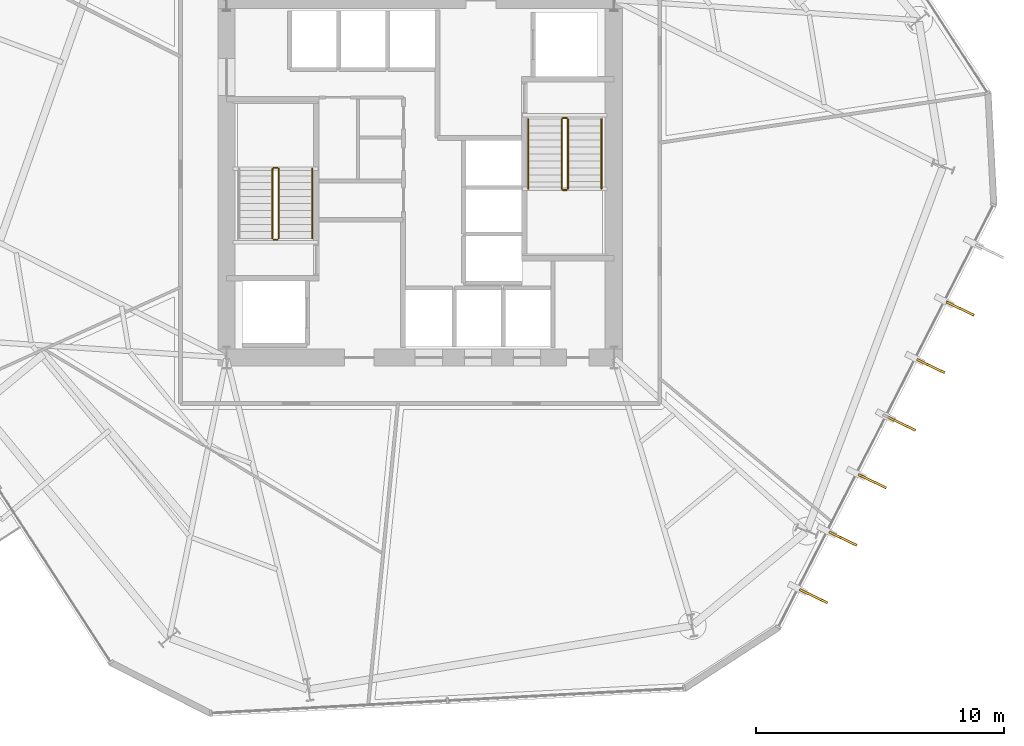
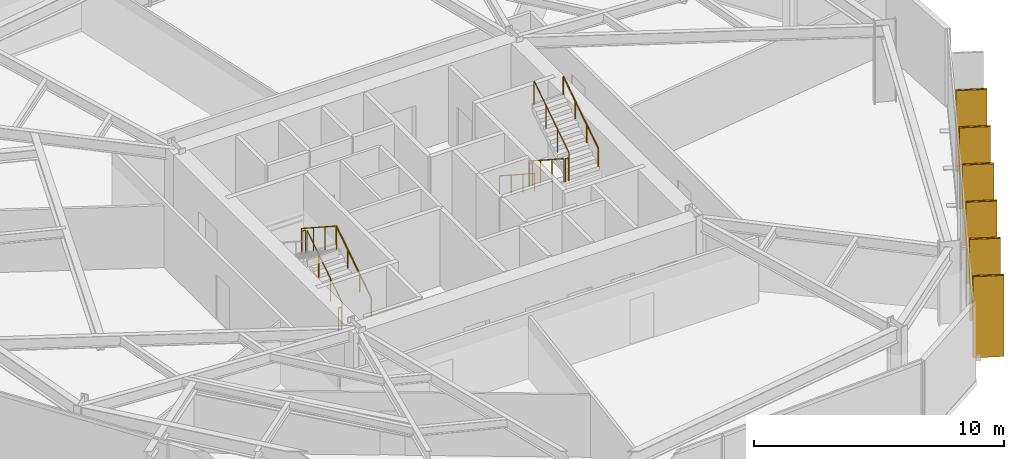
# One storey, part 9 of 10: 11 railings, 6 coverings, 6 shading devices.
"""IFC4 building model written with IfcOpenShell, lengths in metres."""

import ifcopenshell
import ifcopenshell.guid

model = None  # the IFC model being written
_history = None  # IfcOwnerHistory: only IFC2X3 demands one
_inside = {}  # id of a spatial element -> (the spatial element, [elements in it])
_under = {}  # id of a project, library or spatial element -> (it, [spatial elements below it])
_declared = {}  # id of a project -> (the project, [libraries it declares])
_typed = {}  # id of a type object -> (the type object, [elements of that type])
_made_of = {}  # id of a material, layer set ... -> (it, [elements and type objects made of it])


def new_model(schema):
    """Start an empty IFC model of exactly this schema.

    Asked for "IFC4X3", IfcOpenShell would pick the latest addendum, in which some entities
    have other attributes; the version numbers below select the first issue.
    IFC2X3 requires an IfcOwnerHistory on every rooted entity: one is made here for all.
    """
    global model, _history
    if schema == "IFC4X3":
        model = ifcopenshell.file(schema_version=(4, 3, 0, 0))
    else:
        model = ifcopenshell.file(schema=schema)
    _inside.clear()
    _under.clear()
    _declared.clear()
    _typed.clear()
    _made_of.clear()
    _history = None
    if model.schema == "IFC2X3":
        org = make("IfcOrganization", Name="unknown")
        user = make(
            "IfcPersonAndOrganization",
            ThePerson=make("IfcPerson", FamilyName="unknown"),
            TheOrganization=org,
        )
        app = make(
            "IfcApplication",
            ApplicationDeveloper=org,
            Version="unknown",
            ApplicationFullName="unknown",
            ApplicationIdentifier="unknown",
        )
        _history = make(
            "IfcOwnerHistory",
            OwningUser=user,
            OwningApplication=app,
            ChangeAction="ADDED",
            CreationDate=0,
        )
    return model


def make(cls, **values):
    """One entity of the class cls with the attributes given. An attribute that is None is left unset."""
    return model.create_entity(
        cls, **{name: value for name, value in values.items() if value is not None}
    )


def rooted(cls, **values):
    """An entity with a GlobalId (a new one), such as an element, a storey or a relation."""
    return make(cls, GlobalId=ifcopenshell.guid.new(), OwnerHistory=_history, **values)


def si_unit(unit_type, name, prefix=None):
    """IfcSIUnit, for example si_unit("LENGTHUNIT", "METRE", prefix="MILLI")."""
    return make("IfcSIUnit", UnitType=unit_type, Prefix=prefix, Name=name)


def assignment(units):
    """IfcUnitAssignment: the units of a project."""
    return None if units is None else make("IfcUnitAssignment", Units=units)


def point(xyz):
    """IfcCartesianPoint."""
    return None if xyz is None else make("IfcCartesianPoint", Coordinates=xyz)


def direction(xyz):
    """IfcDirection."""
    return None if xyz is None else make("IfcDirection", DirectionRatios=xyz)


def frame(location, z_axis=None, x_axis=None):
    """IfcAxis2Placement3D, a coordinate frame: its origin and axes. An axis left out is left unset."""
    return make(
        "IfcAxis2Placement3D",
        Location=point(location),
        Axis=direction(z_axis),
        RefDirection=direction(x_axis),
    )


def frame_2d(location, x_axis=None):
    """IfcAxis2Placement2D, a coordinate frame in the plane: its origin and x axis."""
    return make(
        "IfcAxis2Placement2D", Location=point(location), RefDirection=direction(x_axis)
    )


def origin():
    """The frame at (0, 0, 0) with its axes left unset."""
    return frame((0.0, 0.0, 0.0))


def origin_2d():
    """The frame at (0, 0) in the plane with its x axis left unset."""
    return frame_2d((0.0, 0.0))


def place(relative_to, where):
    """IfcLocalPlacement: puts the frame where relative to a parent placement (None: the world)."""
    return make(
        "IfcLocalPlacement", PlacementRelTo=relative_to, RelativePlacement=where
    )


def context(
    kind, dimensions, precision=None, world=None, true_north=None, identifier=None
):
    """IfcGeometricRepresentationContext, for example the 3D "Model" context."""
    return make(
        "IfcGeometricRepresentationContext",
        ContextIdentifier=identifier,
        ContextType=kind,
        CoordinateSpaceDimension=dimensions,
        Precision=precision,
        WorldCoordinateSystem=world,
        TrueNorth=true_north,
    )


def subcontext(parent, identifier, kind, view, scale=None):
    """IfcGeometricRepresentationSubContext, for example "Body" below "Model"."""
    return make(
        "IfcGeometricRepresentationSubContext",
        ContextIdentifier=identifier,
        ContextType=kind,
        ParentContext=parent,
        TargetScale=scale,
        TargetView=view,
    )


def project(units=None, contexts=None):
    """IfcProject with its units and contexts."""
    return rooted(
        "IfcProject",
        Name="project",
        RepresentationContexts=contexts,
        UnitsInContext=assignment(units),
    )


def spatial(cls, under=None, at=None, **own):
    """A site, building, storey or space (cls), placed at a placement, below another one or the project."""
    s = rooted(cls, ObjectPlacement=at, **own)
    if under is not None:
        _under.setdefault(under.id(), (under, []))[1].append(s)
    return s


def profile(cls, at=None, kind="AREA", **sizes):
    """A parametric profile (cls). Its sizes go by their IFC names, for example OverallWidth=200.0."""
    return make(cls, ProfileType=kind, Position=at, **sizes)


def rectangle(**sizes):
    """IfcRectangleProfileDef."""
    return profile("IfcRectangleProfileDef", **sizes)


def circle(**sizes):
    """IfcCircleProfileDef."""
    return profile("IfcCircleProfileDef", **sizes)


def extrude(swept, where, along, depth):
    """IfcExtrudedAreaSolid: the profile swept, set in the frame where, extruded along a direction by depth."""
    return make(
        "IfcExtrudedAreaSolid",
        SweptArea=swept,
        Position=where,
        ExtrudedDirection=direction(along),
        Depth=depth,
    )


def shape(context_of_items, identifier, shape_type, items):
    """IfcShapeRepresentation: the items that make up one representation, for example the "Body"."""
    return make(
        "IfcShapeRepresentation",
        ContextOfItems=context_of_items,
        RepresentationIdentifier=identifier,
        RepresentationType=shape_type,
        Items=items,
    )


def material(Name=None, Category=None):
    """IfcMaterial."""
    return make("IfcMaterial", Name=Name, Category=Category)


def layer(
    of_material, thickness, ventilated=None, Name=None, Category=None, Priority=None
):
    """IfcMaterialLayer: one layer of a wall or slab, of a material (None: an air gap)."""
    return make(
        "IfcMaterialLayer",
        Material=of_material,
        LayerThickness=thickness,
        IsVentilated=ventilated,
        Name=Name,
        Category=Category,
        Priority=Priority,
    )


def layer_set(layers, Name=None):
    """IfcMaterialLayerSet."""
    return make("IfcMaterialLayerSet", MaterialLayers=layers, LayerSetName=Name)


def made_of(thing, what):
    """Note that an element or type object is made of a material, layer set ...; save() writes the relation."""
    if what is not None:
        _made_of.setdefault(what.id(), (what, []))[1].append(thing)
    return thing


def type_object(cls, material=None, **own):
    """A type object (cls), such as IfcWallType, which elements share."""
    return made_of(rooted(cls, **own), material)


def element(
    cls,
    number,
    at=None,
    inside=None,
    cuts=None,
    type_object=None,
    material=None,
    context=None,
    identifier="Body",
    shape_type=None,
    held_by="IfcProductDefinitionShape",
    body=None,
    shapes=None,
    **own,
):
    """One element of the class cls, such as IfcWall. Its Tag is "e" and its number.

    at: its placement. inside: the storey or other place that contains it. cuts: it is an
    opening in that element (IfcRelVoidsElement). A single representation is given by context,
    identifier, shape_type and body (its items); several are given by shapes. held_by: the class
    of the entity that holds the representations. save() writes the other relations.
    """
    e = rooted(cls, Tag="e%d" % number, ObjectPlacement=at, **own)
    if body is not None:
        shapes = [shape(context, identifier, shape_type, body)]
    if shapes is not None:
        e.Representation = make(held_by, Representations=shapes)
    if inside is not None:
        _inside.setdefault(inside.id(), (inside, []))[1].append(e)
    if cuts is not None:
        rooted(
            "IfcRelVoidsElement", RelatingBuildingElement=cuts, RelatedOpeningElement=e
        )
    if type_object is not None:
        _typed.setdefault(type_object.id(), (type_object, []))[1].append(e)
    return made_of(e, material)


def aggregate(whole, parts):
    """IfcRelAggregates: a whole, such as a stair, and the parts it consists of."""
    return rooted("IfcRelAggregates", RelatingObject=whole, RelatedObjects=parts)


def save(model, path):
    """Write the relations noted so far, then the file.

    IfcRelAggregates (storeys below a building ...), IfcRelContainedInSpatialStructure (elements
    in a storey), IfcRelDefinesByType, IfcRelAssociatesMaterial and IfcRelDeclares: one each for
    every whole, place, type object, material and project.
    """
    for whole, parts in _under.values():
        aggregate(whole, parts)
    for where, things in _inside.values():
        rooted(
            "IfcRelContainedInSpatialStructure",
            RelatedElements=things,
            RelatingStructure=where,
        )
    for kind, things in _typed.values():
        rooted("IfcRelDefinesByType", RelatedObjects=things, RelatingType=kind)
    for what, things in _made_of.values():
        rooted("IfcRelAssociatesMaterial", RelatedObjects=things, RelatingMaterial=what)
    for by, libraries in _declared.values():
        rooted("IfcRelDeclares", RelatingContext=by, RelatedDefinitions=libraries)
    model.write(path)


model = new_model("IFC4")

# Units and contexts
model_context = context("Model", 3, precision=1e-05, world=origin(), true_north=direction((0.0, 1.0)))
body_context = subcontext(model_context, "Body", "Model", "MODEL_VIEW")
ifc_project = project(units=[si_unit("LENGTHUNIT", "METRE"), si_unit("AREAUNIT", "SQUARE_METRE"), si_unit("VOLUMEUNIT", "CUBIC_METRE"), si_unit("PLANEANGLEUNIT", "RADIAN"), si_unit("MASSUNIT", "GRAM", prefix="KILO")], contexts=[model_context])

# Site, building, storey
site_placement = place(None, origin())
site = spatial("IfcSite", under=ifc_project, at=site_placement, CompositionType="ELEMENT")
building_placement = place(site_placement, origin())
building = spatial("IfcBuilding", under=site, at=building_placement, Name="Kranzbogen Civic Tower", CompositionType="ELEMENT")
storey_placement = place(building_placement, frame((0.0, 0.0, 32.0)))
storey = spatial("IfcBuildingStorey", under=building, at=storey_placement, Name="L07", CompositionType="ELEMENT", Elevation=32.0)

# Coverings
ifc_material_1 = material(Name="Pale Anodised Aluminium", Category="aluminium")
ifc_layer = layer(ifc_material_1, 0.02490234375, Name="Pale Anodised Aluminium")
ifc_layer_set = layer_set([ifc_layer], Name="Pale Anodised Aluminium")
covering_type = type_object("IfcCoveringType", Name="Anodised Aluminium Vertical Fin Cladding 25 mm", PredefinedType="CLADDING", material=ifc_layer_set)
for number, where, z_axis, x_axis, name in (
    (1, (40.843994140625, 8.18896484375, -0.139892578125), (0.0, 0.0, 1.0), (0.901190522124, -0.433423168316, 0.0), "L07 vertical fin pale-metal cladding F6-1"),
    (2, (42.02490234375, 10.506103515625, -0.139892578125), (0.0, 0.0, 1.0), (0.901190522124, -0.433423168316, 0.0), "L07 vertical fin pale-metal cladding F6-2"),
    (3, (43.205078125, 12.822021484375, -0.139892578125), (0.0, 0.0, 1.0), (0.901190522124, -0.433423168316, 0.0), "L07 vertical fin pale-metal cladding F6-3"),
    (4, (44.385986328125, 15.138916015625, -0.139892578125), (0.0, 0.0, 1.0), (0.901190522124, -0.433423168316, 0.0), "L07 vertical fin pale-metal cladding F6-4"),
    (5, (45.56591796875, 17.455078125, -0.139892578125), (0.0, 0.0, 1.0), (0.901190522124, -0.433423168316, 0.0), "L07 vertical fin pale-metal cladding F6-5"),
    (6, (46.7470703125, 19.77197265625, -0.139892578125), (0.0, 0.0, 1.0), (0.901190522124, -0.433423168316, 0.0), "L07 vertical fin pale-metal cladding F6-6"),
):
    element("IfcCovering", number, at=place(storey_placement, frame(where, z_axis=z_axis, x_axis=x_axis)), inside=storey, type_object=covering_type, Name=name, PredefinedType="CLADDING", context=body_context, shape_type="SweptSolid", body=[
        extrude(rectangle(XDim=1.25, YDim=0.10009765625, at=origin_2d()), origin(), (0.0, 0.0, 1.0), 3.9599609375),
    ])

# Shading devices
ifc_material_2 = material(Name="Anodised Bronze Aluminium", Category="aluminium")
shading_device_type = type_object("IfcShadingDeviceType", Name="Anodised Bronze Vertical Facade Fin 1250x80", PredefinedType="USERDEFINED", material=ifc_material_2)
for number, where, z_axis, x_axis, name in (
    (7, (40.843994140625, 8.18896484375, -0.139892578125), (0.0, 0.0, 1.0), (0.901190522124, -0.433423168316, 0.0), "L07 vertical exterior shading fin F6-1"),
    (8, (42.02490234375, 10.506103515625, -0.139892578125), (0.0, 0.0, 1.0), (0.901190522124, -0.433423168316, 0.0), "L07 vertical exterior shading fin F6-2"),
    (9, (43.205078125, 12.822021484375, -0.139892578125), (0.0, 0.0, 1.0), (0.901190522124, -0.433423168316, 0.0), "L07 vertical exterior shading fin F6-3"),
    (10, (44.385986328125, 15.138916015625, -0.139892578125), (0.0, 0.0, 1.0), (0.901190522124, -0.433423168316, 0.0), "L07 vertical exterior shading fin F6-4"),
    (11, (45.56591796875, 17.455078125, -0.139892578125), (0.0, 0.0, 1.0), (0.901190522124, -0.433423168316, 0.0), "L07 vertical exterior shading fin F6-5"),
    (12, (46.7470703125, 19.77197265625, -0.139892578125), (0.0, 0.0, 1.0), (0.901190522124, -0.433423168316, 0.0), "L07 vertical exterior shading fin F6-6"),
):
    element("IfcShadingDevice", number, at=place(storey_placement, frame(where, z_axis=z_axis, x_axis=x_axis)), inside=storey, type_object=shading_device_type, Name=name, ObjectType="FIN", PredefinedType="USERDEFINED", context=body_context, shape_type="SweptSolid", body=[
        extrude(rectangle(XDim=1.25, YDim=0.080078125, at=origin_2d()), origin(), (0.0, 0.0, 1.0), 3.9599609375),
    ])

# Railings
ifc_material_3 = material(Name="Steel S355", Category="steel")
railing_type_1 = type_object("IfcRailingType", Name="Internal Stair and Void Steel Guardrail 1150", PredefinedType="GUARDRAIL", material=ifc_material_3)
railing_1_placement = place(storey_placement, frame((19.300048828125, 22.60009765625, 0.181884765625)))
element("IfcRailing", 13, at=railing_1_placement, inside=storey, type_object=railing_type_1, Name="L07 ST-T1 stair guard 1", PredefinedType="GUARDRAIL", context=body_context, shape_type="SweptSolid", body=[
    extrude(circle(Radius=0.02392578125, at=origin_2d()), frame((0.0, 0.0, 1.1259765625), z_axis=(0.0, 0.83868413941, 0.544618136222), x_axis=(-1.0, 0.0, 0.0)), (0.0, 0.0, 1.0), 3.33837890625),
    extrude(circle(Radius=0.02099609375, at=origin_2d()), origin(), (0.0, 0.0, 1.0), 1.101806640625),
    extrude(circle(Radius=0.02099609375, at=origin_2d()), frame((0.0, 0.933349609375, 0.60595703125)), (0.0, 0.0, 1.0), 1.101806640625),
    extrude(circle(Radius=0.02099609375, at=origin_2d()), frame((0.0, 1.866455078125, 1.212158203125)), (0.0, 0.0, 1.0), 1.101806640625),
    extrude(circle(Radius=0.02099609375, at=origin_2d()), frame((0.0, 2.7998046875, 1.818115234375)), (0.0, 0.0, 1.0), 1.101806640625),
])
railing_2_placement = place(storey_placement, frame((19.25, 25.449951171875, 2.0)))
element("IfcRailing", 14, at=railing_2_placement, inside=storey, type_object=railing_type_1, Name="L07 ST-T1 stair guard 2", PredefinedType="GUARDRAIL", context=body_context, shape_type="SweptSolid", body=[
    extrude(circle(Radius=0.02392578125, at=origin_2d()), frame((0.0, 0.0, 1.1259765625), z_axis=(-1.0, 0.0, 0.0), x_axis=(0.0, -1.0, 0.0)), (0.0, 0.0, 1.0), 0.14990234375),
    extrude(circle(Radius=0.02099609375, at=origin_2d()), origin(), (0.0, 0.0, 1.0), 1.101806640625),
    extrude(circle(Radius=0.02099609375, at=origin_2d()), frame((-0.14990234375, 0.0, 0.0)), (0.0, 0.0, 1.0), 1.101806640625),
])
railing_3_placement = place(storey_placement, frame((19.050048828125, 25.39990234375, 2.181884765625)))
element("IfcRailing", 15, at=railing_3_placement, inside=storey, type_object=railing_type_1, Name="L07 ST-T1 stair guard 3", PredefinedType="GUARDRAIL", context=body_context, shape_type="SweptSolid", body=[
    extrude(circle(Radius=0.02392578125, at=origin_2d()), frame((0.0, 0.0, 1.1259765625), z_axis=(0.0, -0.83868413941, 0.544618136222), x_axis=(1.0, 0.0, 0.0)), (0.0, 0.0, 1.0), 3.33837890625),
    extrude(circle(Radius=0.02099609375, at=origin_2d()), origin(), (0.0, 0.0, 1.0), 1.101806640625),
    extrude(circle(Radius=0.02099609375, at=origin_2d()), frame((0.0, -0.933349609375, 0.60595703125)), (0.0, 0.0, 1.0), 1.101806640625),
    extrude(circle(Radius=0.02099609375, at=origin_2d()), frame((0.0, -1.866455078125, 1.212158203125)), (0.0, 0.0, 1.0), 1.101806640625),
    extrude(circle(Radius=0.02099609375, at=origin_2d()), frame((0.0, -2.7998046875, 1.818115234375)), (0.0, 0.0, 1.0), 1.101806640625),
])
railing_4_placement = place(storey_placement, frame((19.25, 22.550048828125, 0.0)))
element("IfcRailing", 16, at=railing_4_placement, inside=storey, type_object=railing_type_1, Name="L07 ST-T1 stair guard 4", PredefinedType="GUARDRAIL", context=body_context, shape_type="SweptSolid", body=[
    extrude(circle(Radius=0.02392578125, at=origin_2d()), frame((0.0, 0.0, 1.1259765625), z_axis=(-1.0, 0.0, 0.0), x_axis=(0.0, -1.0, 0.0)), (0.0, 0.0, 1.0), 0.14990234375),
    extrude(circle(Radius=0.02099609375, at=origin_2d()), origin(), (0.0, 0.0, 1.0), 1.101806640625),
    extrude(circle(Radius=0.02099609375, at=origin_2d()), frame((-0.14990234375, 0.0, 0.0)), (0.0, 0.0, 1.0), 1.101806640625),
])
railing_5_placement = place(storey_placement, frame((30.699951171875, 27.39990234375, 0.181884765625)))
element("IfcRailing", 17, at=railing_5_placement, inside=storey, type_object=railing_type_1, Name="L07 ST-T2 stair guard 1", PredefinedType="GUARDRAIL", context=body_context, shape_type="SweptSolid", body=[
    extrude(circle(Radius=0.02392578125, at=origin_2d()), frame((0.0, 0.0, 1.1259765625), z_axis=(0.0, -0.83868413941, 0.544618136222), x_axis=(1.0, 0.0, 0.0)), (0.0, 0.0, 1.0), 3.33837890625),
    extrude(circle(Radius=0.02099609375, at=origin_2d()), origin(), (0.0, 0.0, 1.0), 1.101806640625),
    extrude(circle(Radius=0.02099609375, at=origin_2d()), frame((0.0, -0.933349609375, 0.60595703125)), (0.0, 0.0, 1.0), 1.101806640625),
    extrude(circle(Radius=0.02099609375, at=origin_2d()), frame((0.0, -1.866455078125, 1.212158203125)), (0.0, 0.0, 1.0), 1.101806640625),
    extrude(circle(Radius=0.02099609375, at=origin_2d()), frame((0.0, -2.7998046875, 1.818115234375)), (0.0, 0.0, 1.0), 1.101806640625),
])
railing_6_placement = place(storey_placement, frame((30.75, 24.550048828125, 2.0)))
element("IfcRailing", 18, at=railing_6_placement, inside=storey, type_object=railing_type_1, Name="L07 ST-T2 stair guard 2", PredefinedType="GUARDRAIL", context=body_context, shape_type="SweptSolid", body=[
    extrude(circle(Radius=0.02392578125, at=origin_2d()), frame((0.0, 0.0, 1.1259765625), z_axis=(1.0, 0.0, 0.0), x_axis=(0.0, 1.0, 0.0)), (0.0, 0.0, 1.0), 0.14990234375),
    extrude(circle(Radius=0.02099609375, at=origin_2d()), origin(), (0.0, 0.0, 1.0), 1.101806640625),
    extrude(circle(Radius=0.02099609375, at=origin_2d()), frame((0.14990234375, 0.0, 0.0)), (0.0, 0.0, 1.0), 1.101806640625),
])
railing_7_placement = place(storey_placement, frame((30.949951171875, 24.60009765625, 2.181884765625)))
element("IfcRailing", 19, at=railing_7_placement, inside=storey, type_object=railing_type_1, Name="L07 ST-T2 stair guard 3", PredefinedType="GUARDRAIL", context=body_context, shape_type="SweptSolid", body=[
    extrude(circle(Radius=0.02392578125, at=origin_2d()), frame((0.0, 0.0, 1.1259765625), z_axis=(0.0, 0.83868413941, 0.544618136222), x_axis=(-1.0, 0.0, 0.0)), (0.0, 0.0, 1.0), 3.33837890625),
    extrude(circle(Radius=0.02099609375, at=origin_2d()), origin(), (0.0, 0.0, 1.0), 1.101806640625),
    extrude(circle(Radius=0.02099609375, at=origin_2d()), frame((0.0, 0.933349609375, 0.60595703125)), (0.0, 0.0, 1.0), 1.101806640625),
    extrude(circle(Radius=0.02099609375, at=origin_2d()), frame((0.0, 1.866455078125, 1.212158203125)), (0.0, 0.0, 1.0), 1.101806640625),
    extrude(circle(Radius=0.02099609375, at=origin_2d()), frame((0.0, 2.7998046875, 1.818115234375)), (0.0, 0.0, 1.0), 1.101806640625),
])
railing_8_placement = place(storey_placement, frame((30.75, 27.449951171875, 0.0)))
element("IfcRailing", 20, at=railing_8_placement, inside=storey, type_object=railing_type_1, Name="L07 ST-T2 stair guard 4", PredefinedType="GUARDRAIL", context=body_context, shape_type="SweptSolid", body=[
    extrude(circle(Radius=0.02392578125, at=origin_2d()), frame((0.0, 0.0, 1.1259765625), z_axis=(1.0, 0.0, 0.0), x_axis=(0.0, 1.0, 0.0)), (0.0, 0.0, 1.0), 0.14990234375),
    extrude(circle(Radius=0.02099609375, at=origin_2d()), origin(), (0.0, 0.0, 1.0), 1.101806640625),
    extrude(circle(Radius=0.02099609375, at=origin_2d()), frame((0.14990234375, 0.0, 0.0)), (0.0, 0.0, 1.0), 1.101806640625),
])
railing_type_2 = type_object("IfcRailingType", Name="Tubular Stainless Stair Wall Handrail 900", PredefinedType="HANDRAIL", material=ifc_material_1)
railing_9_placement = place(storey_placement, frame((20.64990234375, 22.60009765625, 0.181884765625)))
element("IfcRailing", 21, at=railing_9_placement, inside=storey, type_object=railing_type_2, Name="L07 ST-T1 stair handrail 1", PredefinedType="HANDRAIL", context=body_context, shape_type="SweptSolid", body=[
    extrude(circle(Radius=0.02392578125, at=origin_2d()), frame((0.0, 0.0, 0.8759765625), z_axis=(0.0, 0.83868413941, 0.544618136222), x_axis=(-1.0, 0.0, 0.0)), (0.0, 0.0, 1.0), 3.33837890625),
    extrude(circle(Radius=0.02099609375, at=origin_2d()), origin(), (0.0, 0.0, 1.0), 0.851806640625),
    extrude(circle(Radius=0.02099609375, at=origin_2d()), frame((0.0, 0.933349609375, 0.60595703125)), (0.0, 0.0, 1.0), 0.851806640625),
    extrude(circle(Radius=0.02099609375, at=origin_2d()), frame((0.0, 1.866455078125, 1.212158203125)), (0.0, 0.0, 1.0), 0.851806640625),
    extrude(circle(Radius=0.02099609375, at=origin_2d()), frame((0.0, 2.7998046875, 1.818115234375)), (0.0, 0.0, 1.0), 0.851806640625),
])
railing_10_placement = place(storey_placement, frame((29.35009765625, 27.39990234375, 0.181884765625)))
element("IfcRailing", 22, at=railing_10_placement, inside=storey, type_object=railing_type_2, Name="L07 ST-T2 stair handrail 1", PredefinedType="HANDRAIL", context=body_context, shape_type="SweptSolid", body=[
    extrude(circle(Radius=0.02392578125, at=origin_2d()), frame((0.0, 0.0, 0.8759765625), z_axis=(0.0, -0.83868413941, 0.544618136222), x_axis=(1.0, 0.0, 0.0)), (0.0, 0.0, 1.0), 3.33837890625),
    extrude(circle(Radius=0.02099609375, at=origin_2d()), origin(), (0.0, 0.0, 1.0), 0.851806640625),
    extrude(circle(Radius=0.02099609375, at=origin_2d()), frame((0.0, -0.933349609375, 0.60595703125)), (0.0, 0.0, 1.0), 0.851806640625),
    extrude(circle(Radius=0.02099609375, at=origin_2d()), frame((0.0, -1.866455078125, 1.212158203125)), (0.0, 0.0, 1.0), 0.851806640625),
    extrude(circle(Radius=0.02099609375, at=origin_2d()), frame((0.0, -2.7998046875, 1.818115234375)), (0.0, 0.0, 1.0), 0.851806640625),
])
railing_11_placement = place(storey_placement, frame((32.300048828125, 24.60009765625, 2.181884765625)))
element("IfcRailing", 23, at=railing_11_placement, inside=storey, type_object=railing_type_2, Name="L07 ST-T2 stair handrail 2", PredefinedType="HANDRAIL", context=body_context, shape_type="SweptSolid", body=[
    extrude(circle(Radius=0.02392578125, at=origin_2d()), frame((0.0, 0.0, 0.8759765625), z_axis=(0.0, 0.83868413941, 0.544618136222), x_axis=(-1.0, 0.0, 0.0)), (0.0, 0.0, 1.0), 3.33837890625),
    extrude(circle(Radius=0.02099609375, at=origin_2d()), origin(), (0.0, 0.0, 1.0), 0.851806640625),
    extrude(circle(Radius=0.02099609375, at=origin_2d()), frame((0.0, 0.933349609375, 0.60595703125)), (0.0, 0.0, 1.0), 0.851806640625),
    extrude(circle(Radius=0.02099609375, at=origin_2d()), frame((0.0, 1.866455078125, 1.212158203125)), (0.0, 0.0, 1.0), 0.851806640625),
    extrude(circle(Radius=0.02099609375, at=origin_2d()), frame((0.0, 2.7998046875, 1.818115234375)), (0.0, 0.0, 1.0), 0.851806640625),
])

save(model, "model.ifc")
